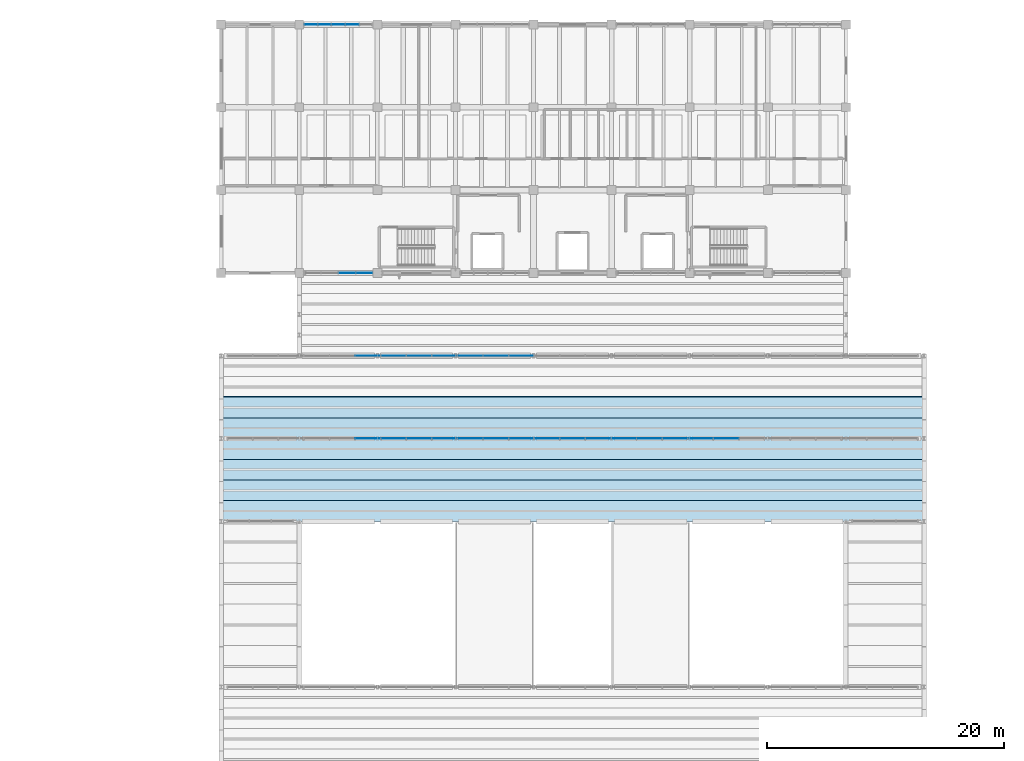
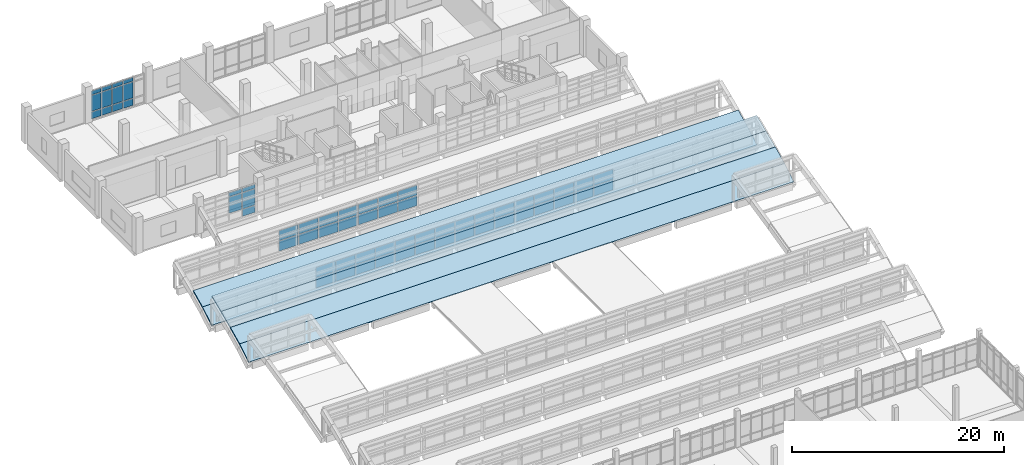
# One storey, part 72 of 92: 61 plates, 6 slabs, 5 elements without a shape of their own.
"""IFC4 building model written with IfcOpenShell, lengths in metres."""

from ifc_helpers import new_model, si_unit, direction, frame, origin, origin_2d, place, context, subcontext, project, spatial, polyline, rectangle, outline, extrude, material, layer, layer_set, type_object, element, aggregate, save


model = new_model("IFC4")

# Units and contexts
model_context = context("Model", 3, precision=1e-05, world=origin(), true_north=direction((0.0, 1.0)))
body_context = subcontext(model_context, "Body", "Model", "MODEL_VIEW")
ifc_project = project(units=[si_unit("LENGTHUNIT", "METRE"), si_unit("AREAUNIT", "SQUARE_METRE"), si_unit("VOLUMEUNIT", "CUBIC_METRE"), si_unit("PLANEANGLEUNIT", "RADIAN"), si_unit("MASSUNIT", "GRAM", prefix="KILO")], contexts=[model_context])

# Site, building, storey
site_placement = place(None, origin())
site = spatial("IfcSite", under=ifc_project, at=site_placement, CompositionType="ELEMENT")
building_placement = place(site_placement, origin())
building = spatial("IfcBuilding", under=site, at=building_placement, Name="Ciguamira Faculty of Natural Sciences", CompositionType="ELEMENT")
storey_placement = place(building_placement, frame((0.0, 0.0, 16.800048828125)))
storey = spatial("IfcBuildingStorey", under=building, at=storey_placement, Name="L04", CompositionType="ELEMENT", Elevation=16.800048828125)

# Curtain wall, plates
ifc_material_1 = material(Name="Anodized aluminium curtain wall", Category="aluminium")
curtain_wall_type_1 = type_object("IfcCurtainWallType", Name="CurtainWall_CW-02", PredefinedType="USERDEFINED", material=ifc_material_1)
curtain_wall_1_placement = place(storey_placement, origin())
curtain_wall_1 = element("IfcCurtainWall", 1, at=curtain_wall_1_placement, inside=storey, type_object=curtain_wall_type_1, Name="L04 unitised curtain wall 0122", ObjectType="UNITISED CURTAIN WALL", PredefinedType="USERDEFINED")
ifc_material_2 = material(Name="Low-E laminated solar glass", Category="glass")
ifc_layer_1 = layer(ifc_material_2, 0.035888671875, Name="Low-E laminated solar glass")
ifc_layer_set_1 = layer_set([ifc_layer_1], Name="Low-E laminated solar glass")
plate_type = type_object("IfcPlateType", Name="CWPanel_CWP-02", PredefinedType="CURTAIN_PANEL", material=ifc_layer_set_1)
plate_1_placement = place(storey_placement, frame((67.93115234375, 94.0, 0.93505859375), z_axis=(0.0, 0.0, 1.0), x_axis=(1.0, 0.0, 0.0)))
plate_1 = element("IfcPlate", 2, at=plate_1_placement, type_object=plate_type, Name="CW-02 panel 3.2", PredefinedType="CURTAIN_PANEL", context=body_context, shape_type="SweptSolid", body=[
    extrude(rectangle(XDim=1.392578125, YDim=0.035888671875, at=origin_2d()), origin(), (0.0, 0.0, 1.0), 1.844970703125),
])
plate_2_placement = place(storey_placement, frame((67.93115234375, 94.0, 2.85009765625), z_axis=(0.0, 0.0, 1.0), x_axis=(1.0, 0.0, 0.0)))
plate_2 = element("IfcPlate", 3, at=plate_2_placement, type_object=plate_type, Name="CW-02 panel 3.3", PredefinedType="CURTAIN_PANEL", context=body_context, shape_type="SweptSolid", body=[
    extrude(rectangle(XDim=1.392578125, YDim=0.035888671875, at=origin_2d()), origin(), (0.0, 0.0, 1.0), 0.445068359375),
])
plate_3_placement = place(storey_placement, frame((69.376220703125, 94.0, 0.070068359375), z_axis=(0.0, 0.0, 1.0), x_axis=(1.0, 0.0, 0.0)))
plate_3 = element("IfcPlate", 4, at=plate_3_placement, type_object=plate_type, Name="CW-02 panel 4.1", PredefinedType="CURTAIN_PANEL", context=body_context, shape_type="SweptSolid", body=[
    extrude(rectangle(XDim=1.357421875, YDim=0.035888671875, at=origin_2d()), origin(), (0.0, 0.0, 1.0), 0.794921875),
])
plate_4_placement = place(storey_placement, frame((69.376220703125, 94.0, 0.93505859375), z_axis=(0.0, 0.0, 1.0), x_axis=(1.0, 0.0, 0.0)))
plate_4 = element("IfcPlate", 5, at=plate_4_placement, type_object=plate_type, Name="CW-02 panel 4.2", PredefinedType="CURTAIN_PANEL", context=body_context, shape_type="SweptSolid", body=[
    extrude(rectangle(XDim=1.357421875, YDim=0.035888671875, at=origin_2d()), origin(), (0.0, 0.0, 1.0), 1.844970703125),
])
plate_5_placement = place(storey_placement, frame((69.376220703125, 94.0, 2.85009765625), z_axis=(0.0, 0.0, 1.0), x_axis=(1.0, 0.0, 0.0)))
plate_5 = element("IfcPlate", 6, at=plate_5_placement, type_object=plate_type, Name="CW-02 panel 4.3", PredefinedType="CURTAIN_PANEL", context=body_context, shape_type="SweptSolid", body=[
    extrude(rectangle(XDim=1.357421875, YDim=0.035888671875, at=origin_2d()), origin(), (0.0, 0.0, 1.0), 0.445068359375),
])
aggregate(curtain_wall_1, [plate_1, plate_2, plate_3, plate_4, plate_5])

curtain_wall_type_2 = type_object("IfcCurtainWallType", Name="CurtainWall_CW-06", PredefinedType="USERDEFINED", material=ifc_material_1)
curtain_wall_2_placement = place(storey_placement, origin())
curtain_wall_2 = element("IfcCurtainWall", 7, at=curtain_wall_2_placement, inside=storey, type_object=curtain_wall_type_2, Name="L04 unitised curtain wall 0126", ObjectType="UNITISED CURTAIN WALL", PredefinedType="USERDEFINED")
plate_6_placement = place(storey_placement, frame((64.8798828125, 115.0, 0.080078125), z_axis=(0.0, 0.0, 1.0), x_axis=(1.0, 0.0, 0.0)))
plate_6 = element("IfcPlate", 8, at=plate_6_placement, type_object=plate_type, Name="CW-06 panel 1.1", PredefinedType="CURTAIN_PANEL", context=body_context, shape_type="SweptSolid", body=[
    extrude(rectangle(XDim=1.050048828125, YDim=0.035888671875, at=origin_2d()), origin(), (0.0, 0.0, 1.0), 0.780029296875),
])
plate_7_placement = place(storey_placement, frame((64.8798828125, 115.0, 0.93994140625), z_axis=(0.0, 0.0, 1.0), x_axis=(1.0, 0.0, 0.0)))
plate_7 = element("IfcPlate", 9, at=plate_7_placement, type_object=plate_type, Name="CW-06 panel 1.2", PredefinedType="CURTAIN_PANEL", context=body_context, shape_type="SweptSolid", body=[
    extrude(rectangle(XDim=1.050048828125, YDim=0.035888671875, at=origin_2d()), origin(), (0.0, 0.0, 1.0), 1.8349609375),
])
plate_8_placement = place(storey_placement, frame((64.8798828125, 115.0, 2.85498046875), z_axis=(0.0, 0.0, 1.0), x_axis=(1.0, 0.0, 0.0)))
plate_8 = element("IfcPlate", 10, at=plate_8_placement, type_object=plate_type, Name="CW-06 panel 1.3", PredefinedType="CURTAIN_PANEL", context=body_context, shape_type="SweptSolid", body=[
    extrude(rectangle(XDim=1.050048828125, YDim=0.035888671875, at=origin_2d()), origin(), (0.0, 0.0, 1.0), 0.429931640625),
])
plate_9_placement = place(storey_placement, frame((66.030029296875, 115.0, 0.080078125), z_axis=(0.0, 0.0, 1.0), x_axis=(1.0, 0.0, 0.0)))
plate_9 = element("IfcPlate", 11, at=plate_9_placement, type_object=plate_type, Name="CW-06 panel 2.1", PredefinedType="CURTAIN_PANEL", context=body_context, shape_type="SweptSolid", body=[
    extrude(rectangle(XDim=1.090087890625, YDim=0.035888671875, at=origin_2d()), origin(), (0.0, 0.0, 1.0), 0.780029296875),
])
plate_10_placement = place(storey_placement, frame((66.030029296875, 115.0, 0.93994140625), z_axis=(0.0, 0.0, 1.0), x_axis=(1.0, 0.0, 0.0)))
plate_10 = element("IfcPlate", 12, at=plate_10_placement, type_object=plate_type, Name="CW-06 panel 2.2", PredefinedType="CURTAIN_PANEL", context=body_context, shape_type="SweptSolid", body=[
    extrude(rectangle(XDim=1.090087890625, YDim=0.035888671875, at=origin_2d()), origin(), (0.0, 0.0, 1.0), 1.8349609375),
])
plate_11_placement = place(storey_placement, frame((66.030029296875, 115.0, 2.85498046875), z_axis=(0.0, 0.0, 1.0), x_axis=(1.0, 0.0, 0.0)))
plate_11 = element("IfcPlate", 13, at=plate_11_placement, type_object=plate_type, Name="CW-06 panel 2.3", PredefinedType="CURTAIN_PANEL", context=body_context, shape_type="SweptSolid", body=[
    extrude(rectangle(XDim=1.090087890625, YDim=0.035888671875, at=origin_2d()), origin(), (0.0, 0.0, 1.0), 0.429931640625),
])
plate_12_placement = place(storey_placement, frame((67.199951171875, 115.0, 0.080078125), z_axis=(0.0, 0.0, 1.0), x_axis=(1.0, 0.0, 0.0)))
plate_12 = element("IfcPlate", 14, at=plate_12_placement, type_object=plate_type, Name="CW-06 panel 3.1", PredefinedType="CURTAIN_PANEL", context=body_context, shape_type="SweptSolid", body=[
    extrude(rectangle(XDim=1.090087890625, YDim=0.035888671875, at=origin_2d()), origin(), (0.0, 0.0, 1.0), 0.780029296875),
])
plate_13_placement = place(storey_placement, frame((67.199951171875, 115.0, 0.93994140625), z_axis=(0.0, 0.0, 1.0), x_axis=(1.0, 0.0, 0.0)))
plate_13 = element("IfcPlate", 15, at=plate_13_placement, type_object=plate_type, Name="CW-06 panel 3.2", PredefinedType="CURTAIN_PANEL", context=body_context, shape_type="SweptSolid", body=[
    extrude(rectangle(XDim=1.090087890625, YDim=0.035888671875, at=origin_2d()), origin(), (0.0, 0.0, 1.0), 1.8349609375),
])
plate_14_placement = place(storey_placement, frame((67.199951171875, 115.0, 2.85498046875), z_axis=(0.0, 0.0, 1.0), x_axis=(1.0, 0.0, 0.0)))
plate_14 = element("IfcPlate", 16, at=plate_14_placement, type_object=plate_type, Name="CW-06 panel 3.3", PredefinedType="CURTAIN_PANEL", context=body_context, shape_type="SweptSolid", body=[
    extrude(rectangle(XDim=1.090087890625, YDim=0.035888671875, at=origin_2d()), origin(), (0.0, 0.0, 1.0), 0.429931640625),
])
plate_15_placement = place(storey_placement, frame((68.3701171875, 115.0, 0.080078125), z_axis=(0.0, 0.0, 1.0), x_axis=(1.0, 0.0, 0.0)))
plate_15 = element("IfcPlate", 17, at=plate_15_placement, type_object=plate_type, Name="CW-06 panel 4.1", PredefinedType="CURTAIN_PANEL", context=body_context, shape_type="SweptSolid", body=[
    extrude(rectangle(XDim=1.090087890625, YDim=0.035888671875, at=origin_2d()), origin(), (0.0, 0.0, 1.0), 0.780029296875),
])
plate_16_placement = place(storey_placement, frame((68.3701171875, 115.0, 0.93994140625), z_axis=(0.0, 0.0, 1.0), x_axis=(1.0, 0.0, 0.0)))
plate_16 = element("IfcPlate", 18, at=plate_16_placement, type_object=plate_type, Name="CW-06 panel 4.2", PredefinedType="CURTAIN_PANEL", context=body_context, shape_type="SweptSolid", body=[
    extrude(rectangle(XDim=1.090087890625, YDim=0.035888671875, at=origin_2d()), origin(), (0.0, 0.0, 1.0), 1.8349609375),
])
plate_17_placement = place(storey_placement, frame((68.3701171875, 115.0, 2.85498046875), z_axis=(0.0, 0.0, 1.0), x_axis=(1.0, 0.0, 0.0)))
plate_17 = element("IfcPlate", 19, at=plate_17_placement, type_object=plate_type, Name="CW-06 panel 4.3", PredefinedType="CURTAIN_PANEL", context=body_context, shape_type="SweptSolid", body=[
    extrude(rectangle(XDim=1.090087890625, YDim=0.035888671875, at=origin_2d()), origin(), (0.0, 0.0, 1.0), 0.429931640625),
])
aggregate(curtain_wall_2, [plate_6, plate_7, plate_8, plate_9, plate_10, plate_11, plate_12, plate_13, plate_14, plate_15, plate_16, plate_17])

curtain_wall_type_3 = type_object("IfcCurtainWallType", Name="CurtainWall_CW-07", PredefinedType="USERDEFINED", material=ifc_material_1)
curtain_wall_3_placement = place(storey_placement, origin())
curtain_wall_3 = element("IfcCurtainWall", 20, at=curtain_wall_3_placement, inside=storey, type_object=curtain_wall_type_3, Name="V4 north-light wave 5 clerestory glazing 1", ObjectType="UNITISED CURTAIN WALL", PredefinedType="USERDEFINED")
plate_18_placement = place(storey_placement, frame((69.6962890625, 80.0, 0.31982421875), z_axis=(0.0, 0.0, 1.0), x_axis=(1.0, 0.0, 0.0)))
plate_18 = element("IfcPlate", 21, at=plate_18_placement, type_object=plate_type, Name="CW-07 panel 6.1", PredefinedType="CURTAIN_PANEL", context=body_context, shape_type="SweptSolid", body=[
    extrude(rectangle(XDim=2.093017578125, YDim=0.035888671875, at=origin_2d()), origin(), (0.0, 0.0, 1.0), 1.14501953125),
])
plate_19_placement = place(storey_placement, frame((69.6962890625, 80.0, 1.534912109375), z_axis=(0.0, 0.0, 1.0), x_axis=(1.0, 0.0, 0.0)))
plate_19 = element("IfcPlate", 22, at=plate_19_placement, type_object=plate_type, Name="CW-07 panel 6.2", PredefinedType="CURTAIN_PANEL", context=body_context, shape_type="SweptSolid", body=[
    extrude(rectangle(XDim=2.093017578125, YDim=0.035888671875, at=origin_2d()), origin(), (0.0, 0.0, 1.0), 1.14501953125),
])
plate_20_placement = place(storey_placement, frame((71.859375, 80.0, 0.31982421875), z_axis=(0.0, 0.0, 1.0), x_axis=(1.0, 0.0, 0.0)))
plate_20 = element("IfcPlate", 23, at=plate_20_placement, type_object=plate_type, Name="CW-07 panel 7.1", PredefinedType="CURTAIN_PANEL", context=body_context, shape_type="SweptSolid", body=[
    extrude(rectangle(XDim=2.093017578125, YDim=0.035888671875, at=origin_2d()), origin(), (0.0, 0.0, 1.0), 1.14501953125),
])
plate_21_placement = place(storey_placement, frame((71.859375, 80.0, 1.534912109375), z_axis=(0.0, 0.0, 1.0), x_axis=(1.0, 0.0, 0.0)))
plate_21 = element("IfcPlate", 24, at=plate_21_placement, type_object=plate_type, Name="CW-07 panel 7.2", PredefinedType="CURTAIN_PANEL", context=body_context, shape_type="SweptSolid", body=[
    extrude(rectangle(XDim=2.093017578125, YDim=0.035888671875, at=origin_2d()), origin(), (0.0, 0.0, 1.0), 1.14501953125),
])
plate_22_placement = place(storey_placement, frame((74.022216796875, 80.0, 0.31982421875), z_axis=(0.0, 0.0, 1.0), x_axis=(1.0, 0.0, 0.0)))
plate_22 = element("IfcPlate", 25, at=plate_22_placement, type_object=plate_type, Name="CW-07 panel 8.1", PredefinedType="CURTAIN_PANEL", context=body_context, shape_type="SweptSolid", body=[
    extrude(rectangle(XDim=2.093017578125, YDim=0.035888671875, at=origin_2d()), origin(), (0.0, 0.0, 1.0), 1.14501953125),
])
plate_23_placement = place(storey_placement, frame((74.022216796875, 80.0, 1.534912109375), z_axis=(0.0, 0.0, 1.0), x_axis=(1.0, 0.0, 0.0)))
plate_23 = element("IfcPlate", 26, at=plate_23_placement, type_object=plate_type, Name="CW-07 panel 8.2", PredefinedType="CURTAIN_PANEL", context=body_context, shape_type="SweptSolid", body=[
    extrude(rectangle(XDim=2.093017578125, YDim=0.035888671875, at=origin_2d()), origin(), (0.0, 0.0, 1.0), 1.14501953125),
])
plate_24_placement = place(storey_placement, frame((76.185302734375, 80.0, 0.31982421875), z_axis=(0.0, 0.0, 1.0), x_axis=(1.0, 0.0, 0.0)))
plate_24 = element("IfcPlate", 27, at=plate_24_placement, type_object=plate_type, Name="CW-07 panel 9.1", PredefinedType="CURTAIN_PANEL", context=body_context, shape_type="SweptSolid", body=[
    extrude(rectangle(XDim=2.093017578125, YDim=0.035888671875, at=origin_2d()), origin(), (0.0, 0.0, 1.0), 1.14501953125),
])
plate_25_placement = place(storey_placement, frame((76.185302734375, 80.0, 1.534912109375), z_axis=(0.0, 0.0, 1.0), x_axis=(1.0, 0.0, 0.0)))
plate_25 = element("IfcPlate", 28, at=plate_25_placement, type_object=plate_type, Name="CW-07 panel 9.2", PredefinedType="CURTAIN_PANEL", context=body_context, shape_type="SweptSolid", body=[
    extrude(rectangle(XDim=2.093017578125, YDim=0.035888671875, at=origin_2d()), origin(), (0.0, 0.0, 1.0), 1.14501953125),
])
plate_26_placement = place(storey_placement, frame((78.34814453125, 80.0, 0.31982421875), z_axis=(0.0, 0.0, 1.0), x_axis=(1.0, 0.0, 0.0)))
plate_26 = element("IfcPlate", 29, at=plate_26_placement, type_object=plate_type, Name="CW-07 panel 10.1", PredefinedType="CURTAIN_PANEL", context=body_context, shape_type="SweptSolid", body=[
    extrude(rectangle(XDim=2.093017578125, YDim=0.035888671875, at=origin_2d()), origin(), (0.0, 0.0, 1.0), 1.14501953125),
])
plate_27_placement = place(storey_placement, frame((78.34814453125, 80.0, 1.534912109375), z_axis=(0.0, 0.0, 1.0), x_axis=(1.0, 0.0, 0.0)))
plate_27 = element("IfcPlate", 30, at=plate_27_placement, type_object=plate_type, Name="CW-07 panel 10.2", PredefinedType="CURTAIN_PANEL", context=body_context, shape_type="SweptSolid", body=[
    extrude(rectangle(XDim=2.093017578125, YDim=0.035888671875, at=origin_2d()), origin(), (0.0, 0.0, 1.0), 1.14501953125),
])
plate_28_placement = place(storey_placement, frame((80.51123046875, 80.0, 0.31982421875), z_axis=(0.0, 0.0, 1.0), x_axis=(1.0, 0.0, 0.0)))
plate_28 = element("IfcPlate", 31, at=plate_28_placement, type_object=plate_type, Name="CW-07 panel 11.1", PredefinedType="CURTAIN_PANEL", context=body_context, shape_type="SweptSolid", body=[
    extrude(rectangle(XDim=2.093017578125, YDim=0.035888671875, at=origin_2d()), origin(), (0.0, 0.0, 1.0), 1.14501953125),
])
plate_29_placement = place(storey_placement, frame((80.51123046875, 80.0, 1.534912109375), z_axis=(0.0, 0.0, 1.0), x_axis=(1.0, 0.0, 0.0)))
plate_29 = element("IfcPlate", 32, at=plate_29_placement, type_object=plate_type, Name="CW-07 panel 11.2", PredefinedType="CURTAIN_PANEL", context=body_context, shape_type="SweptSolid", body=[
    extrude(rectangle(XDim=2.093017578125, YDim=0.035888671875, at=origin_2d()), origin(), (0.0, 0.0, 1.0), 1.14501953125),
])
plate_30_placement = place(storey_placement, frame((82.674072265625, 80.0, 0.31982421875), z_axis=(0.0, 0.0, 1.0), x_axis=(1.0, 0.0, 0.0)))
plate_30 = element("IfcPlate", 33, at=plate_30_placement, type_object=plate_type, Name="CW-07 panel 12.1", PredefinedType="CURTAIN_PANEL", context=body_context, shape_type="SweptSolid", body=[
    extrude(rectangle(XDim=2.093017578125, YDim=0.035888671875, at=origin_2d()), origin(), (0.0, 0.0, 1.0), 1.14501953125),
])
plate_31_placement = place(storey_placement, frame((82.674072265625, 80.0, 1.534912109375), z_axis=(0.0, 0.0, 1.0), x_axis=(1.0, 0.0, 0.0)))
plate_31 = element("IfcPlate", 34, at=plate_31_placement, type_object=plate_type, Name="CW-07 panel 12.2", PredefinedType="CURTAIN_PANEL", context=body_context, shape_type="SweptSolid", body=[
    extrude(rectangle(XDim=2.093017578125, YDim=0.035888671875, at=origin_2d()), origin(), (0.0, 0.0, 1.0), 1.14501953125),
])
plate_32_placement = place(storey_placement, frame((84.837158203125, 80.0, 0.31982421875), z_axis=(0.0, 0.0, 1.0), x_axis=(1.0, 0.0, 0.0)))
plate_32 = element("IfcPlate", 35, at=plate_32_placement, type_object=plate_type, Name="CW-07 panel 13.1", PredefinedType="CURTAIN_PANEL", context=body_context, shape_type="SweptSolid", body=[
    extrude(rectangle(XDim=2.093017578125, YDim=0.035888671875, at=origin_2d()), origin(), (0.0, 0.0, 1.0), 1.14501953125),
])
plate_33_placement = place(storey_placement, frame((84.837158203125, 80.0, 1.534912109375), z_axis=(0.0, 0.0, 1.0), x_axis=(1.0, 0.0, 0.0)))
plate_33 = element("IfcPlate", 36, at=plate_33_placement, type_object=plate_type, Name="CW-07 panel 13.2", PredefinedType="CURTAIN_PANEL", context=body_context, shape_type="SweptSolid", body=[
    extrude(rectangle(XDim=2.093017578125, YDim=0.035888671875, at=origin_2d()), origin(), (0.0, 0.0, 1.0), 1.14501953125),
])
plate_34_placement = place(storey_placement, frame((87.0, 80.0, 0.31982421875), z_axis=(0.0, 0.0, 1.0), x_axis=(1.0, 0.0, 0.0)))
plate_34 = element("IfcPlate", 37, at=plate_34_placement, type_object=plate_type, Name="CW-07 panel 14.1", PredefinedType="CURTAIN_PANEL", context=body_context, shape_type="SweptSolid", body=[
    extrude(rectangle(XDim=2.093017578125, YDim=0.035888671875, at=origin_2d()), origin(), (0.0, 0.0, 1.0), 1.14501953125),
])
plate_35_placement = place(storey_placement, frame((87.0, 80.0, 1.534912109375), z_axis=(0.0, 0.0, 1.0), x_axis=(1.0, 0.0, 0.0)))
plate_35 = element("IfcPlate", 38, at=plate_35_placement, type_object=plate_type, Name="CW-07 panel 14.2", PredefinedType="CURTAIN_PANEL", context=body_context, shape_type="SweptSolid", body=[
    extrude(rectangle(XDim=2.093017578125, YDim=0.035888671875, at=origin_2d()), origin(), (0.0, 0.0, 1.0), 1.14501953125),
])
plate_36_placement = place(storey_placement, frame((89.162841796875, 80.0, 0.31982421875), z_axis=(0.0, 0.0, 1.0), x_axis=(1.0, 0.0, 0.0)))
plate_36 = element("IfcPlate", 39, at=plate_36_placement, type_object=plate_type, Name="CW-07 panel 15.1", PredefinedType="CURTAIN_PANEL", context=body_context, shape_type="SweptSolid", body=[
    extrude(rectangle(XDim=2.093017578125, YDim=0.035888671875, at=origin_2d()), origin(), (0.0, 0.0, 1.0), 1.14501953125),
])
plate_37_placement = place(storey_placement, frame((89.162841796875, 80.0, 1.534912109375), z_axis=(0.0, 0.0, 1.0), x_axis=(1.0, 0.0, 0.0)))
plate_37 = element("IfcPlate", 40, at=plate_37_placement, type_object=plate_type, Name="CW-07 panel 15.2", PredefinedType="CURTAIN_PANEL", context=body_context, shape_type="SweptSolid", body=[
    extrude(rectangle(XDim=2.093017578125, YDim=0.035888671875, at=origin_2d()), origin(), (0.0, 0.0, 1.0), 1.14501953125),
])
plate_38_placement = place(storey_placement, frame((91.325927734375, 80.0, 0.31982421875), z_axis=(0.0, 0.0, 1.0), x_axis=(1.0, 0.0, 0.0)))
plate_38 = element("IfcPlate", 41, at=plate_38_placement, type_object=plate_type, Name="CW-07 panel 16.1", PredefinedType="CURTAIN_PANEL", context=body_context, shape_type="SweptSolid", body=[
    extrude(rectangle(XDim=2.093017578125, YDim=0.035888671875, at=origin_2d()), origin(), (0.0, 0.0, 1.0), 1.14501953125),
])
plate_39_placement = place(storey_placement, frame((91.325927734375, 80.0, 1.534912109375), z_axis=(0.0, 0.0, 1.0), x_axis=(1.0, 0.0, 0.0)))
plate_39 = element("IfcPlate", 42, at=plate_39_placement, type_object=plate_type, Name="CW-07 panel 16.2", PredefinedType="CURTAIN_PANEL", context=body_context, shape_type="SweptSolid", body=[
    extrude(rectangle(XDim=2.093017578125, YDim=0.035888671875, at=origin_2d()), origin(), (0.0, 0.0, 1.0), 1.14501953125),
])
plate_40_placement = place(storey_placement, frame((93.48876953125, 80.0, 0.31982421875), z_axis=(0.0, 0.0, 1.0), x_axis=(1.0, 0.0, 0.0)))
plate_40 = element("IfcPlate", 43, at=plate_40_placement, type_object=plate_type, Name="CW-07 panel 17.1", PredefinedType="CURTAIN_PANEL", context=body_context, shape_type="SweptSolid", body=[
    extrude(rectangle(XDim=2.093017578125, YDim=0.035888671875, at=origin_2d()), origin(), (0.0, 0.0, 1.0), 1.14501953125),
])
plate_41_placement = place(storey_placement, frame((93.48876953125, 80.0, 1.534912109375), z_axis=(0.0, 0.0, 1.0), x_axis=(1.0, 0.0, 0.0)))
plate_41 = element("IfcPlate", 44, at=plate_41_placement, type_object=plate_type, Name="CW-07 panel 17.2", PredefinedType="CURTAIN_PANEL", context=body_context, shape_type="SweptSolid", body=[
    extrude(rectangle(XDim=2.093017578125, YDim=0.035888671875, at=origin_2d()), origin(), (0.0, 0.0, 1.0), 1.14501953125),
])
plate_42_placement = place(storey_placement, frame((95.65185546875, 80.0, 0.31982421875), z_axis=(0.0, 0.0, 1.0), x_axis=(1.0, 0.0, 0.0)))
plate_42 = element("IfcPlate", 45, at=plate_42_placement, type_object=plate_type, Name="CW-07 panel 18.1", PredefinedType="CURTAIN_PANEL", context=body_context, shape_type="SweptSolid", body=[
    extrude(rectangle(XDim=2.093017578125, YDim=0.035888671875, at=origin_2d()), origin(), (0.0, 0.0, 1.0), 1.14501953125),
])
plate_43_placement = place(storey_placement, frame((95.65185546875, 80.0, 1.534912109375), z_axis=(0.0, 0.0, 1.0), x_axis=(1.0, 0.0, 0.0)))
plate_43 = element("IfcPlate", 46, at=plate_43_placement, type_object=plate_type, Name="CW-07 panel 18.2", PredefinedType="CURTAIN_PANEL", context=body_context, shape_type="SweptSolid", body=[
    extrude(rectangle(XDim=2.093017578125, YDim=0.035888671875, at=origin_2d()), origin(), (0.0, 0.0, 1.0), 1.14501953125),
])
plate_44_placement = place(storey_placement, frame((97.814697265625, 80.0, 0.31982421875), z_axis=(0.0, 0.0, 1.0), x_axis=(1.0, 0.0, 0.0)))
plate_44 = element("IfcPlate", 47, at=plate_44_placement, type_object=plate_type, Name="CW-07 panel 19.1", PredefinedType="CURTAIN_PANEL", context=body_context, shape_type="SweptSolid", body=[
    extrude(rectangle(XDim=2.093017578125, YDim=0.035888671875, at=origin_2d()), origin(), (0.0, 0.0, 1.0), 1.14501953125),
])
plate_45_placement = place(storey_placement, frame((97.814697265625, 80.0, 1.534912109375), z_axis=(0.0, 0.0, 1.0), x_axis=(1.0, 0.0, 0.0)))
plate_45 = element("IfcPlate", 48, at=plate_45_placement, type_object=plate_type, Name="CW-07 panel 19.2", PredefinedType="CURTAIN_PANEL", context=body_context, shape_type="SweptSolid", body=[
    extrude(rectangle(XDim=2.093017578125, YDim=0.035888671875, at=origin_2d()), origin(), (0.0, 0.0, 1.0), 1.14501953125),
])
plate_46_placement = place(storey_placement, frame((99.977783203125, 80.0, 0.31982421875), z_axis=(0.0, 0.0, 1.0), x_axis=(1.0, 0.0, 0.0)))
plate_46 = element("IfcPlate", 49, at=plate_46_placement, type_object=plate_type, Name="CW-07 panel 20.1", PredefinedType="CURTAIN_PANEL", context=body_context, shape_type="SweptSolid", body=[
    extrude(rectangle(XDim=2.093017578125, YDim=0.035888671875, at=origin_2d()), origin(), (0.0, 0.0, 1.0), 1.14501953125),
])
plate_47_placement = place(storey_placement, frame((99.977783203125, 80.0, 1.534912109375), z_axis=(0.0, 0.0, 1.0), x_axis=(1.0, 0.0, 0.0)))
plate_47 = element("IfcPlate", 50, at=plate_47_placement, type_object=plate_type, Name="CW-07 panel 20.2", PredefinedType="CURTAIN_PANEL", context=body_context, shape_type="SweptSolid", body=[
    extrude(rectangle(XDim=2.093017578125, YDim=0.035888671875, at=origin_2d()), origin(), (0.0, 0.0, 1.0), 1.14501953125),
])
aggregate(curtain_wall_3, [plate_18, plate_19, plate_20, plate_21, plate_22, plate_23, plate_24, plate_25, plate_26, plate_27, plate_28, plate_29, plate_30, plate_31, plate_32, plate_33, plate_34, plate_35, plate_36, plate_37, plate_38, plate_39, plate_40, plate_41, plate_42, plate_43, plate_44, plate_45, plate_46, plate_47])

curtain_wall_type_4 = type_object("IfcCurtainWallType", Name="CurtainWall_CW-08", PredefinedType="USERDEFINED", material=ifc_material_1)
curtain_wall_4_placement = place(storey_placement, origin())
curtain_wall_4 = element("IfcCurtainWall", 51, at=curtain_wall_4_placement, inside=storey, type_object=curtain_wall_type_4, Name="V4 north-light wave 6 clerestory glazing 1", ObjectType="UNITISED CURTAIN WALL", PredefinedType="USERDEFINED")
plate_48_placement = place(storey_placement, frame((69.6962890625, 87.0, 0.31982421875), z_axis=(0.0, 0.0, 1.0), x_axis=(1.0, 0.0, 0.0)))
plate_48 = element("IfcPlate", 52, at=plate_48_placement, type_object=plate_type, Name="CW-08 panel 6.1", PredefinedType="CURTAIN_PANEL", context=body_context, shape_type="SweptSolid", body=[
    extrude(rectangle(XDim=2.093017578125, YDim=0.035888671875, at=origin_2d()), origin(), (0.0, 0.0, 1.0), 1.14501953125),
])
plate_49_placement = place(storey_placement, frame((69.6962890625, 87.0, 1.534912109375), z_axis=(0.0, 0.0, 1.0), x_axis=(1.0, 0.0, 0.0)))
plate_49 = element("IfcPlate", 53, at=plate_49_placement, type_object=plate_type, Name="CW-08 panel 6.2", PredefinedType="CURTAIN_PANEL", context=body_context, shape_type="SweptSolid", body=[
    extrude(rectangle(XDim=2.093017578125, YDim=0.035888671875, at=origin_2d()), origin(), (0.0, 0.0, 1.0), 1.14501953125),
])
plate_50_placement = place(storey_placement, frame((71.859375, 87.0, 0.31982421875), z_axis=(0.0, 0.0, 1.0), x_axis=(1.0, 0.0, 0.0)))
plate_50 = element("IfcPlate", 54, at=plate_50_placement, type_object=plate_type, Name="CW-08 panel 7.1", PredefinedType="CURTAIN_PANEL", context=body_context, shape_type="SweptSolid", body=[
    extrude(rectangle(XDim=2.093017578125, YDim=0.035888671875, at=origin_2d()), origin(), (0.0, 0.0, 1.0), 1.14501953125),
])
plate_51_placement = place(storey_placement, frame((71.859375, 87.0, 1.534912109375), z_axis=(0.0, 0.0, 1.0), x_axis=(1.0, 0.0, 0.0)))
plate_51 = element("IfcPlate", 55, at=plate_51_placement, type_object=plate_type, Name="CW-08 panel 7.2", PredefinedType="CURTAIN_PANEL", context=body_context, shape_type="SweptSolid", body=[
    extrude(rectangle(XDim=2.093017578125, YDim=0.035888671875, at=origin_2d()), origin(), (0.0, 0.0, 1.0), 1.14501953125),
])
plate_52_placement = place(storey_placement, frame((74.022216796875, 87.0, 0.31982421875), z_axis=(0.0, 0.0, 1.0), x_axis=(1.0, 0.0, 0.0)))
plate_52 = element("IfcPlate", 56, at=plate_52_placement, type_object=plate_type, Name="CW-08 panel 8.1", PredefinedType="CURTAIN_PANEL", context=body_context, shape_type="SweptSolid", body=[
    extrude(rectangle(XDim=2.093017578125, YDim=0.035888671875, at=origin_2d()), origin(), (0.0, 0.0, 1.0), 1.14501953125),
])
plate_53_placement = place(storey_placement, frame((74.022216796875, 87.0, 1.534912109375), z_axis=(0.0, 0.0, 1.0), x_axis=(1.0, 0.0, 0.0)))
plate_53 = element("IfcPlate", 57, at=plate_53_placement, type_object=plate_type, Name="CW-08 panel 8.2", PredefinedType="CURTAIN_PANEL", context=body_context, shape_type="SweptSolid", body=[
    extrude(rectangle(XDim=2.093017578125, YDim=0.035888671875, at=origin_2d()), origin(), (0.0, 0.0, 1.0), 1.14501953125),
])
plate_54_placement = place(storey_placement, frame((76.185302734375, 87.0, 0.31982421875), z_axis=(0.0, 0.0, 1.0), x_axis=(1.0, 0.0, 0.0)))
plate_54 = element("IfcPlate", 58, at=plate_54_placement, type_object=plate_type, Name="CW-08 panel 9.1", PredefinedType="CURTAIN_PANEL", context=body_context, shape_type="SweptSolid", body=[
    extrude(rectangle(XDim=2.093017578125, YDim=0.035888671875, at=origin_2d()), origin(), (0.0, 0.0, 1.0), 1.14501953125),
])
plate_55_placement = place(storey_placement, frame((76.185302734375, 87.0, 1.534912109375), z_axis=(0.0, 0.0, 1.0), x_axis=(1.0, 0.0, 0.0)))
plate_55 = element("IfcPlate", 59, at=plate_55_placement, type_object=plate_type, Name="CW-08 panel 9.2", PredefinedType="CURTAIN_PANEL", context=body_context, shape_type="SweptSolid", body=[
    extrude(rectangle(XDim=2.093017578125, YDim=0.035888671875, at=origin_2d()), origin(), (0.0, 0.0, 1.0), 1.14501953125),
])
plate_56_placement = place(storey_placement, frame((78.34814453125, 87.0, 0.31982421875), z_axis=(0.0, 0.0, 1.0), x_axis=(1.0, 0.0, 0.0)))
plate_56 = element("IfcPlate", 60, at=plate_56_placement, type_object=plate_type, Name="CW-08 panel 10.1", PredefinedType="CURTAIN_PANEL", context=body_context, shape_type="SweptSolid", body=[
    extrude(rectangle(XDim=2.093017578125, YDim=0.035888671875, at=origin_2d()), origin(), (0.0, 0.0, 1.0), 1.14501953125),
])
plate_57_placement = place(storey_placement, frame((78.34814453125, 87.0, 1.534912109375), z_axis=(0.0, 0.0, 1.0), x_axis=(1.0, 0.0, 0.0)))
plate_57 = element("IfcPlate", 61, at=plate_57_placement, type_object=plate_type, Name="CW-08 panel 10.2", PredefinedType="CURTAIN_PANEL", context=body_context, shape_type="SweptSolid", body=[
    extrude(rectangle(XDim=2.093017578125, YDim=0.035888671875, at=origin_2d()), origin(), (0.0, 0.0, 1.0), 1.14501953125),
])
plate_58_placement = place(storey_placement, frame((80.51123046875, 87.0, 0.31982421875), z_axis=(0.0, 0.0, 1.0), x_axis=(1.0, 0.0, 0.0)))
plate_58 = element("IfcPlate", 62, at=plate_58_placement, type_object=plate_type, Name="CW-08 panel 11.1", PredefinedType="CURTAIN_PANEL", context=body_context, shape_type="SweptSolid", body=[
    extrude(rectangle(XDim=2.093017578125, YDim=0.035888671875, at=origin_2d()), origin(), (0.0, 0.0, 1.0), 1.14501953125),
])
plate_59_placement = place(storey_placement, frame((80.51123046875, 87.0, 1.534912109375), z_axis=(0.0, 0.0, 1.0), x_axis=(1.0, 0.0, 0.0)))
plate_59 = element("IfcPlate", 63, at=plate_59_placement, type_object=plate_type, Name="CW-08 panel 11.2", PredefinedType="CURTAIN_PANEL", context=body_context, shape_type="SweptSolid", body=[
    extrude(rectangle(XDim=2.093017578125, YDim=0.035888671875, at=origin_2d()), origin(), (0.0, 0.0, 1.0), 1.14501953125),
])
plate_60_placement = place(storey_placement, frame((82.674072265625, 87.0, 0.31982421875), z_axis=(0.0, 0.0, 1.0), x_axis=(1.0, 0.0, 0.0)))
plate_60 = element("IfcPlate", 64, at=plate_60_placement, type_object=plate_type, Name="CW-08 panel 12.1", PredefinedType="CURTAIN_PANEL", context=body_context, shape_type="SweptSolid", body=[
    extrude(rectangle(XDim=2.093017578125, YDim=0.035888671875, at=origin_2d()), origin(), (0.0, 0.0, 1.0), 1.14501953125),
])
plate_61_placement = place(storey_placement, frame((82.674072265625, 87.0, 1.534912109375), z_axis=(0.0, 0.0, 1.0), x_axis=(1.0, 0.0, 0.0)))
plate_61 = element("IfcPlate", 65, at=plate_61_placement, type_object=plate_type, Name="CW-08 panel 12.2", PredefinedType="CURTAIN_PANEL", context=body_context, shape_type="SweptSolid", body=[
    extrude(rectangle(XDim=2.093017578125, YDim=0.035888671875, at=origin_2d()), origin(), (0.0, 0.0, 1.0), 1.14501953125),
])
aggregate(curtain_wall_4, [plate_48, plate_49, plate_50, plate_51, plate_52, plate_53, plate_54, plate_55, plate_56, plate_57, plate_58, plate_59, plate_60, plate_61])

# Roof, slabs
ifc_material_3 = material(Name="Concrete C40/50", Category="concrete")
roof_type = type_object("IfcRoofType", Name="RoofSys_RF-WAV", PredefinedType="FREEFORM", material=ifc_material_3)
roof_placement = place(storey_placement, origin())
roof = element("IfcRoof", 66, at=roof_placement, inside=storey, type_object=roof_type, Name="Laboratory Seven Curled Concrete North-Light Wave Shells", PredefinedType="FREEFORM")
ifc_layer_2 = layer(ifc_material_3, 0.179931640625, Name="Concrete C40/50")
ifc_layer_set_2 = layer_set([ifc_layer_2], Name="Concrete C40/50")
slab_type = type_object("IfcSlabType", Name="Slab_SR-01_180", PredefinedType="ROOF", material=ifc_layer_set_2)
slab_1_placement = place(storey_placement, frame((57.300048828125, 73.0, 0.0), z_axis=(0.0, -0.513192142749, 0.858273746902), x_axis=(1.0, 0.0, 0.0)))
slab_1 = element("IfcSlab", 67, at=slab_1_placement, type_object=slab_type, Name="V4 north-light breaking-wave 5 shell strip 1", PredefinedType="ROOF", context=body_context, shape_type="SweptSolid", body=[
    extrude(outline(polyline([(0.0, 0.0), (59.39990234375, 0.0), (59.39990234375, 2.0389764994173896), (0.0, 2.0389764994173896), (0.0, 0.0)])), origin(), (0.0, 0.0, -1.0), 0.179931640625),
])
slab_2_placement = place(storey_placement, frame((57.300048828125, 74.75, 1.04638671875), z_axis=(0.0, -0.432665643872, 0.901554457929), x_axis=(1.0, 0.0, 0.0)))
slab_2 = element("IfcSlab", 68, at=slab_2_placement, type_object=slab_type, Name="V4 north-light breaking-wave 5 shell strip 2", PredefinedType="ROOF", context=body_context, shape_type="SweptSolid", body=[
    extrude(outline(polyline([(0.0, 0.0), (59.39990234375, 0.0), (59.39990234375, 1.941091838222515), (0.0, 1.941091838222515), (0.0, 0.0)])), origin(), (0.0, 0.0, -1.0), 0.179931640625),
])
slab_3_placement = place(storey_placement, frame((57.300048828125, 76.5, 1.88623046875), z_axis=(0.0, -0.405416548208, 0.914132059628), x_axis=(1.0, 0.0, 0.0)))
slab_3 = element("IfcSlab", 69, at=slab_3_placement, type_object=slab_type, Name="V4 north-light breaking-wave 5 shell strip 3", PredefinedType="ROOF", context=body_context, shape_type="SweptSolid", body=[
    extrude(outline(polyline([(0.0, 0.0), (59.39990234375, 0.0), (59.39990234375, 1.9143842309971457), (0.0, 1.9143842309971457), (0.0, 0.0)])), origin(), (0.0, 0.0, -1.0), 0.179931640625),
])
slab_4_placement = place(storey_placement, frame((57.300048828125, 78.25, 2.662353515625), z_axis=(0.0, -0.388373078148, 0.921502225808), x_axis=(1.0, 0.0, 0.0)))
slab_4 = element("IfcSlab", 70, at=slab_4_placement, type_object=slab_type, Name="V4 north-light breaking-wave 5 shell strip 4", PredefinedType="ROOF", context=body_context, shape_type="SweptSolid", body=[
    extrude(outline(polyline([(0.0, 0.0), (59.39990234375, 0.0), (59.39990234375, 1.899073003828068), (0.0, 1.899073003828068), (0.0, 0.0)])), origin(), (0.0, 0.0, -1.0), 0.179931640625),
])
slab_5_placement = place(storey_placement, frame((57.300048828125, 80.0, 0.0), z_axis=(0.0, -0.513192142749, 0.858273746902), x_axis=(1.0, 0.0, 0.0)))
slab_5 = element("IfcSlab", 71, at=slab_5_placement, type_object=slab_type, Name="V4 north-light breaking-wave 6 shell strip 1", PredefinedType="ROOF", context=body_context, shape_type="SweptSolid", body=[
    extrude(outline(polyline([(0.0, 0.0), (59.39990234375, 0.0), (59.39990234375, 2.0389764994173896), (0.0, 2.0389764994173896), (0.0, 0.0)])), origin(), (0.0, 0.0, -1.0), 0.179931640625),
])
slab_6_placement = place(storey_placement, frame((57.300048828125, 81.75, 1.04638671875), z_axis=(0.0, -0.432665643872, 0.901554457929), x_axis=(1.0, 0.0, 0.0)))
slab_6 = element("IfcSlab", 72, at=slab_6_placement, type_object=slab_type, Name="V4 north-light breaking-wave 6 shell strip 2", PredefinedType="ROOF", context=body_context, shape_type="SweptSolid", body=[
    extrude(outline(polyline([(0.0, 0.0), (59.39990234375, 0.0), (59.39990234375, 1.941091838222515), (0.0, 1.941091838222515), (0.0, 0.0)])), origin(), (0.0, 0.0, -1.0), 0.179931640625),
])
aggregate(roof, [slab_1, slab_2, slab_3, slab_4, slab_5, slab_6])

save(model, "model.ifc")
